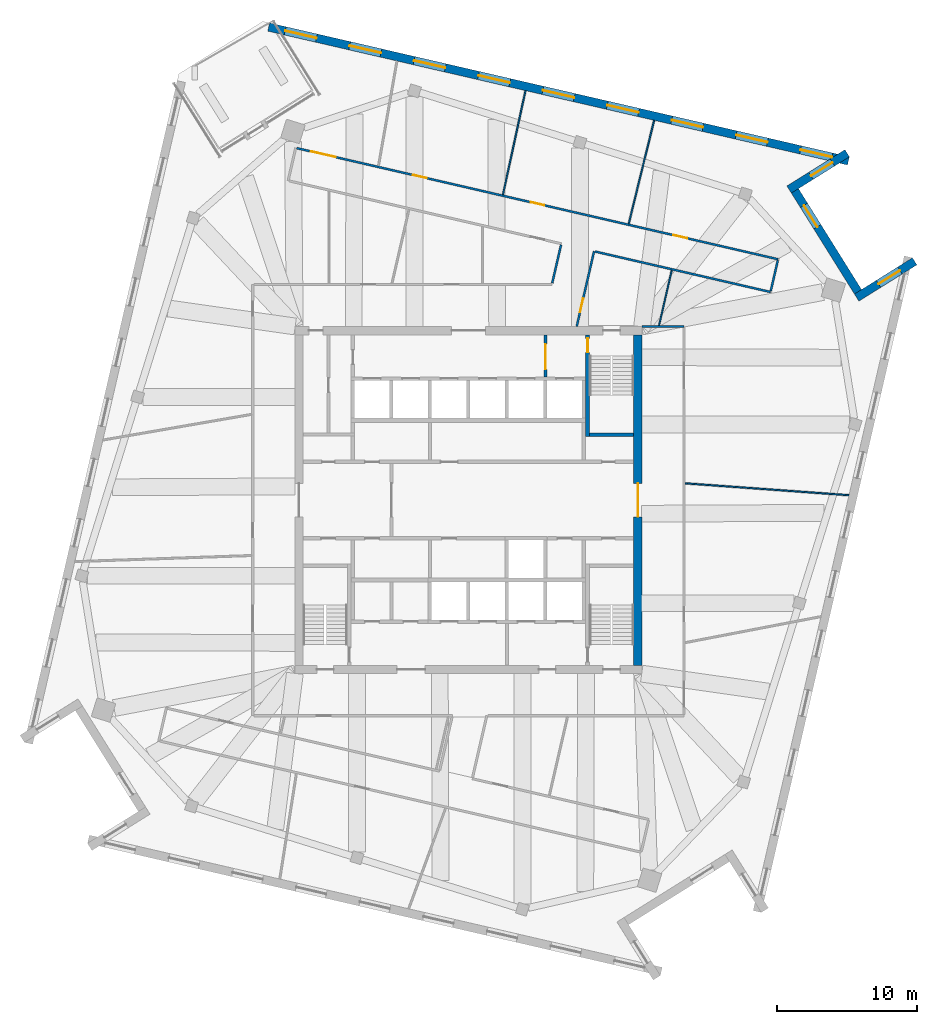
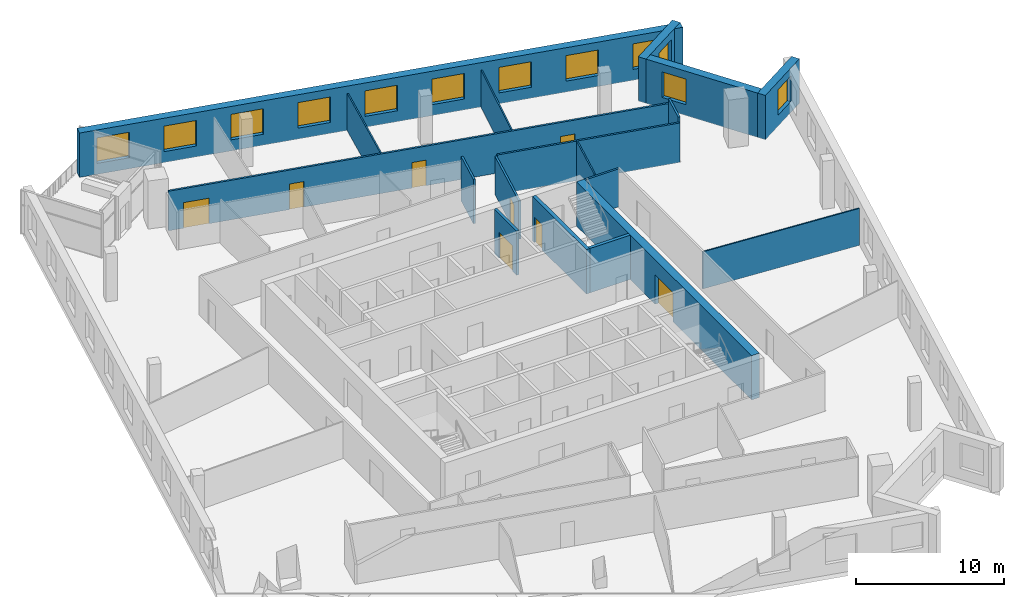
# One storey, part 10 of 14: 18 walls, 12 windows, 8 doors, 20 openings.
"""IFC4 building model written with IfcOpenShell, lengths in metres."""

from ifc_helpers import new_model, si_unit, direction, frame, frame_2d, origin, place, context, subcontext, project, spatial, rectangle, extrude, material, layer, layer_set, type_object, element, fill, save


model = new_model("IFC4")

# Units and contexts
model_context = context("Model", 3, precision=1e-05, world=origin(), true_north=direction((0.0, 1.0)))
body_context = subcontext(model_context, "Body", "Model", "MODEL_VIEW")
ifc_project = project(units=[si_unit("LENGTHUNIT", "METRE"), si_unit("AREAUNIT", "SQUARE_METRE"), si_unit("VOLUMEUNIT", "CUBIC_METRE"), si_unit("PLANEANGLEUNIT", "RADIAN"), si_unit("MASSUNIT", "GRAM", prefix="KILO")], contexts=[model_context])

# Site, building, storey
site_placement = place(None, origin())
site = spatial("IfcSite", under=ifc_project, at=site_placement, CompositionType="ELEMENT")
building_placement = place(site_placement, origin())
building = spatial("IfcBuilding", under=site, at=building_placement, Name="Dilmun Exchange Tower", CompositionType="ELEMENT")
storey_placement = place(building_placement, frame((0.0, 0.0, 340.5)))
storey = spatial("IfcBuildingStorey", under=building, at=storey_placement, Name="L81", CompositionType="ELEMENT", Elevation=340.5)

# Wall, opening, door
ifc_material_1 = material(Name="Concrete C40/50", Category="concrete")
ifc_layer_1 = layer(ifc_material_1, 0.199951171875)
ifc_layer_set_1 = layer_set([ifc_layer_1], Name="Concrete C40/50")
wall_type_1 = type_object("IfcWallType", Name="Core partition wall 200", PredefinedType="PARTITIONING", material=ifc_layer_set_1)
wall_1_placement = place(storey_placement, frame((5.5, 8.804931640625, 0.0), z_axis=(0.0, 0.0, 1.0), x_axis=(0.0, 1.0, 0.0)))
wall_1 = element("IfcWall", 1, at=wall_1_placement, inside=storey, type_object=wall_type_1, Name="L81 core partition wall 20", PredefinedType="PARTITIONING", context=body_context, shape_type="SweptSolid", body=[
    extrude(rectangle(XDim=2.989990234375, YDim=0.199951171875, at=frame_2d((1.4951171875, 0.0))), origin(), (0.0, 0.0, 1.0), 3.64990234375),
])
opening_1_placement = place(wall_1_placement, frame((0.532470703125, 0.0, 0.0)))
opening_1 = element("IfcOpeningElement", 2, at=opening_1_placement, cuts=wall_1, Name="Opening CD5", PredefinedType="OPENING", context=body_context, shape_type="SweptSolid", body=[
    extrude(rectangle(XDim=1.800048828125, YDim=2.10009765625, at=frame_2d((0.89990234375, 1.050048828125))), frame((0.0, 0.10986328125, 0.0), z_axis=(0.0, -1.0, 0.0), x_axis=(1.0, 0.0, 0.0)), (0.0, 0.0, 1.0), 0.219970703125),
])
ifc_material_2 = material(Name="Fire-rated steel door set", Category="steel")
door_type_1 = type_object("IfcDoorType", Name="Stair exit door 1800x2100", OperationType="SINGLE_SWING_LEFT", PredefinedType="DOOR", material=ifc_material_2)
door_1_placement = place(opening_1_placement, origin())
door_1 = element("IfcDoor", 3, at=door_1_placement, inside=storey, type_object=door_type_1, Name="L81 door Lift lobby east", OperationType="SINGLE_SWING_LEFT", OverallHeight=2.10009765625, OverallWidth=1.800048828125, PredefinedType="DOOR", context=body_context, shape_type="SweptSolid", body=[
    extrude(rectangle(XDim=1.800048828125, YDim=2.10009765625, at=frame_2d((0.89990234375, 1.050048828125))), frame((0.0, 0.02490234375, 0.0), z_axis=(0.0, -1.0, 0.0), x_axis=(1.0, 0.0, 0.0)), (0.0, 0.0, 1.0), 0.050048828125),
])
fill(opening_1, door_1)

ifc_material_3 = material(Name="Concrete C50/60", Category="concrete")
ifc_layer_2 = layer(ifc_material_3, 0.60009765625)
ifc_layer_set_2 = layer_set([ifc_layer_2], Name="Concrete C50/60")
wall_type_2 = type_object("IfcWallType", Name="Core shear wall 600 Concrete C50/60", PredefinedType="SHEAR", material=ifc_layer_set_2)
wall_2_placement = place(storey_placement, frame((12.10009765625, -11.800048828125, 0.0), z_axis=(0.0, 0.0, 1.0), x_axis=(0.0, 1.0, 0.0)))
wall_2 = element("IfcWall", 4, at=wall_2_placement, inside=storey, type_object=wall_type_2, Name="L81 core shear wall E", PredefinedType="SHEAR", context=body_context, shape_type="SweptSolid", body=[
    extrude(rectangle(XDim=23.60009765625, YDim=0.60009765625, at=frame_2d((11.800048828125, 0.0))), origin(), (0.0, 0.0, 1.0), 3.64990234375),
])
opening_2_placement = place(wall_2_placement, frame((10.60009765625, 0.0, 0.0)))
opening_2 = element("IfcOpeningElement", 5, at=opening_2_placement, cuts=wall_2, Name="Opening CD1", PredefinedType="OPENING", context=body_context, shape_type="SweptSolid", body=[
    extrude(rectangle(XDim=2.39990234375, YDim=2.39990234375, at=frame_2d((1.199951171875, 1.199951171875))), frame((0.0, 0.31005859375, 0.0), z_axis=(0.0, -1.0, 0.0), x_axis=(1.0, 0.0, 0.0)), (0.0, 0.0, 1.0), 0.6201171875),
])
door_type_2 = type_object("IfcDoorType", Name="Core lobby door 2400x2400", OperationType="DOUBLE_DOOR_DOUBLE_SWING", PredefinedType="DOOR", material=ifc_material_2)
door_2_placement = place(opening_2_placement, origin())
door_2 = element("IfcDoor", 6, at=door_2_placement, inside=storey, type_object=door_type_2, Name="L81 door Central lift lobby", OperationType="SINGLE_SWING_LEFT", OverallHeight=2.39990234375, OverallWidth=2.39990234375, PredefinedType="DOOR", context=body_context, shape_type="SweptSolid", body=[
    extrude(rectangle(XDim=2.39990234375, YDim=2.39990234375, at=frame_2d((1.199951171875, 1.199951171875))), frame((0.0, 0.02490234375, 0.0), z_axis=(0.0, -1.0, 0.0), x_axis=(1.0, 0.0, 0.0)), (0.0, 0.0, 1.0), 0.050048828125),
])
fill(opening_2, door_2)

# Wall, openings, doors
ifc_material_4 = material(Name="Corridor wall 150")
ifc_layer_3 = layer(ifc_material_4, 0.14990234375)
ifc_layer_set_3 = layer_set([ifc_layer_3], Name="Corridor wall 150")
wall_type_3 = type_object("IfcWallType", Name="Corridor wall 150", PredefinedType="PARTITIONING", material=ifc_layer_set_3)
wall_3_placement = place(storey_placement, frame((-12.261962890625, 25.129150390625, 0.0), z_axis=(0.0, 0.0, 1.0), x_axis=(0.974366228137, -0.224967672045, 0.0)))
wall_3 = element("IfcWall", 7, at=wall_3_placement, inside=storey, type_object=wall_type_3, Name="Corridor wall", PredefinedType="PARTITIONING", context=body_context, shape_type="SweptSolid", body=[
    extrude(rectangle(XDim=35.2763671875, YDim=0.14990234375, at=frame_2d((17.63818359375, 0.0))), origin(), (0.0, 0.0, 1.0), 3.25),
])
opening_3_placement = place(wall_3_placement, frame((1.050048828125, 0.0, 0.0)))
opening_3 = element("IfcOpeningElement", 8, at=opening_3_placement, cuts=wall_3, Name="Opening TF79-D04", PredefinedType="OPENING", context=body_context, shape_type="SweptSolid", body=[
    extrude(rectangle(XDim=1.800048828125, YDim=2.10009765625, at=frame_2d((0.89990234375, 1.050048828125))), frame((0.0, 0.0849609375, 0.0), z_axis=(0.0, -1.0, 0.0), x_axis=(1.0, 0.0, 0.0)), (0.0, 0.0, 1.0), 0.169921875),
])
opening_4_placement = place(wall_3_placement, frame((8.524169921875, 0.0, 0.0)))
opening_4 = element("IfcOpeningElement", 9, at=opening_4_placement, cuts=wall_3, Name="Opening TF79-D10", PredefinedType="OPENING", context=body_context, shape_type="SweptSolid", body=[
    extrude(rectangle(XDim=1.0, YDim=2.10009765625, at=frame_2d((0.5, 1.050048828125))), frame((0.0, 0.0849609375, 0.0), z_axis=(0.0, -1.0, 0.0), x_axis=(1.0, 0.0, 0.0)), (0.0, 0.0, 1.0), 0.169921875),
])
opening_5_placement = place(wall_3_placement, frame((17.144287109375, 0.0, 0.0)))
opening_5 = element("IfcOpeningElement", 10, at=opening_5_placement, cuts=wall_3, Name="Opening TF79-D13", PredefinedType="OPENING", context=body_context, shape_type="SweptSolid", body=[
    extrude(rectangle(XDim=1.0, YDim=2.10009765625, at=frame_2d((0.5, 1.050048828125))), frame((0.0, 0.0849609375, 0.0), z_axis=(0.0, -1.0, 0.0), x_axis=(1.0, 0.0, 0.0)), (0.0, 0.0, 1.0), 0.169921875),
])
opening_6_placement = place(wall_3_placement, frame((27.612548828125, 0.0, 0.0)))
opening_6 = element("IfcOpeningElement", 11, at=opening_6_placement, cuts=wall_3, Name="Opening TF79-D19", PredefinedType="OPENING", context=body_context, shape_type="SweptSolid", body=[
    extrude(rectangle(XDim=1.0, YDim=2.10009765625, at=frame_2d((0.5, 1.050048828125))), frame((0.0, 0.0849609375, 0.0), z_axis=(0.0, -1.0, 0.0), x_axis=(1.0, 0.0, 0.0)), (0.0, 0.0, 1.0), 0.169921875),
])
ifc_material_5 = material(Name="Fire door 1000 x 2100")
door_type_3 = type_object("IfcDoorType", Name="Fire door 1000 x 2100", OperationType="NOTDEFINED", PredefinedType="DOOR", material=ifc_material_5)
door_3_placement = place(opening_4_placement, origin())
door_3 = element("IfcDoor", 12, at=door_3_placement, inside=storey, type_object=door_type_3, Name="Door TF79-D10", OperationType="SINGLE_SWING_RIGHT", OverallHeight=2.10009765625, OverallWidth=1.0, PredefinedType="DOOR", context=body_context, shape_type="SweptSolid", body=[
    extrude(rectangle(XDim=1.0, YDim=2.10009765625, at=frame_2d((0.5, 1.050048828125))), frame((0.0, 0.02490234375, 0.0), z_axis=(0.0, -1.0, 0.0), x_axis=(1.0, 0.0, 0.0)), (0.0, 0.0, 1.0), 0.050048828125),
])
fill(opening_4, door_3)
door_4_placement = place(opening_5_placement, origin())
door_4 = element("IfcDoor", 13, at=door_4_placement, inside=storey, type_object=door_type_3, Name="Door TF79-D13", OperationType="SINGLE_SWING_LEFT", OverallHeight=2.10009765625, OverallWidth=1.0, PredefinedType="DOOR", context=body_context, shape_type="SweptSolid", body=[
    extrude(rectangle(XDim=1.0, YDim=2.10009765625, at=frame_2d((0.5, 1.050048828125))), frame((0.0, 0.02490234375, 0.0), z_axis=(0.0, -1.0, 0.0), x_axis=(1.0, 0.0, 0.0)), (0.0, 0.0, 1.0), 0.050048828125),
])
fill(opening_5, door_4)
door_5_placement = place(opening_6_placement, origin())
door_5 = element("IfcDoor", 14, at=door_5_placement, inside=storey, type_object=door_type_3, Name="Door TF79-D19", OperationType="SINGLE_SWING_LEFT", OverallHeight=2.10009765625, OverallWidth=1.0, PredefinedType="DOOR", context=body_context, shape_type="SweptSolid", body=[
    extrude(rectangle(XDim=1.0, YDim=2.10009765625, at=frame_2d((0.5, 1.050048828125))), frame((0.0, 0.02490234375, 0.0), z_axis=(0.0, -1.0, 0.0), x_axis=(1.0, 0.0, 0.0)), (0.0, 0.0, 1.0), 0.050048828125),
])
fill(opening_6, door_5)
ifc_material_6 = material(Name="Fire door pair 1800 x 2100")
door_type_4 = type_object("IfcDoorType", Name="Fire door pair 1800 x 2100", OperationType="NOTDEFINED", PredefinedType="DOOR", material=ifc_material_6)
door_6_placement = place(opening_3_placement, origin())
door_6 = element("IfcDoor", 15, at=door_6_placement, inside=storey, type_object=door_type_4, Name="Door TF79-D04", OperationType="DOUBLE_DOOR_SINGLE_SWING", OverallHeight=2.10009765625, OverallWidth=1.800048828125, PredefinedType="DOOR", context=body_context, shape_type="SweptSolid", body=[
    extrude(rectangle(XDim=1.800048828125, YDim=2.10009765625, at=frame_2d((0.89990234375, 1.050048828125))), frame((0.0, 0.02490234375, 0.0), z_axis=(0.0, -1.0, 0.0), x_axis=(1.0, 0.0, 0.0)), (0.0, 0.0, 1.0), 0.050048828125),
])
fill(opening_3, door_6)

# Wall
wall_4_placement = place(storey_placement, frame((5.981201171875, 15.491943359375, 0.0), z_axis=(0.0, 0.0, 1.0), x_axis=(0.224777043794, 0.97441022192, 0.0)))
element("IfcWall", 16, at=wall_4_placement, inside=storey, type_object=wall_type_3, Name="Corridor wall", PredefinedType="PARTITIONING", context=body_context, shape_type="SweptSolid", body=[
    extrude(rectangle(XDim=2.81103515625, YDim=0.14990234375, at=frame_2d((1.405517578125, 0.0))), origin(), (0.0, 0.0, 1.0), 3.64990234375),
])

# Wall, opening, door
wall_5_placement = place(storey_placement, frame((7.73095703125, 12.39990234375, 0.0), z_axis=(0.0, 0.0, 1.0), x_axis=(0.224891896022, 0.974383720668, 0.0)))
wall_5 = element("IfcWall", 17, at=wall_5_placement, inside=storey, type_object=wall_type_3, Name="Corridor wall", PredefinedType="PARTITIONING", context=body_context, shape_type="SweptSolid", body=[
    extrude(rectangle(XDim=5.505126953125, YDim=0.14990234375, at=frame_2d((2.75244140625, 0.0))), origin(), (0.0, 0.0, 1.0), 3.1298828125),
])
opening_7_placement = place(wall_5_placement, frame((1.050048828125, 0.0, 0.0)))
opening_7 = element("IfcOpeningElement", 18, at=opening_7_placement, cuts=wall_5, Name="Opening TF79-D14", PredefinedType="OPENING", context=body_context, shape_type="SweptSolid", body=[
    extrude(rectangle(XDim=1.0, YDim=2.10009765625, at=frame_2d((0.5, 1.050048828125))), frame((0.0, 0.0849609375, 0.0), z_axis=(0.0, -1.0, 0.0), x_axis=(1.0, 0.0, 0.0)), (0.0, 0.0, 1.0), 0.169921875),
])
door_7_placement = place(opening_7_placement, frame((1.0, 0.0, 0.0), z_axis=(0.0, 0.0, 1.0), x_axis=(-1.0, 0.0, 0.0)))
door_7 = element("IfcDoor", 19, at=door_7_placement, inside=storey, type_object=door_type_3, Name="Door TF79-D14", OperationType="SINGLE_SWING_RIGHT", OverallHeight=2.10009765625, OverallWidth=1.0, PredefinedType="DOOR", context=body_context, shape_type="SweptSolid", body=[
    extrude(rectangle(XDim=1.0, YDim=2.10009765625, at=frame_2d((0.5, 1.050048828125))), frame((0.0, 0.02490234375, 0.0), z_axis=(0.0, -1.0, 0.0), x_axis=(1.0, 0.0, 0.0)), (0.0, 0.0, 1.0), 0.050048828125),
])
fill(opening_7, door_7)

# Walls
wall_6_placement = place(storey_placement, frame((9.0419921875, 17.7470703125, 0.0), z_axis=(0.0, 0.0, 1.0), x_axis=(0.974374231644, -0.224933004931, 0.0)))
element("IfcWall", 20, at=wall_6_placement, inside=storey, type_object=wall_type_3, Name="Corridor wall", PredefinedType="PARTITIONING", context=body_context, shape_type="SweptSolid", body=[
    extrude(rectangle(XDim=12.857666015625, YDim=0.14990234375, at=frame_2d((6.4287109375, 0.0))), origin(), (0.0, 0.0, 1.0), 3.25),
])
wall_7_placement = place(storey_placement, frame((12.39990234375, 12.39990234375, 0.0), z_axis=(0.0, 0.0, 1.0), x_axis=(1.0, 0.0, 0.0)))
element("IfcWall", 21, at=wall_7_placement, inside=storey, type_object=wall_type_3, Name="Corridor wall", PredefinedType="PARTITIONING", context=body_context, shape_type="SweptSolid", body=[
    extrude(rectangle(XDim=3.0, YDim=0.14990234375, at=frame_2d((1.5, 0.0))), origin(), (0.0, 0.0, 1.0), 3.1298828125),
])
wall_8_placement = place(storey_placement, frame((21.5869140625, 14.927978515625, 0.0), z_axis=(0.0, 0.0, 1.0), x_axis=(0.224978397981, 0.974363751605, 0.0)))
element("IfcWall", 22, at=wall_8_placement, inside=storey, type_object=wall_type_3, Name="Corridor wall", PredefinedType="PARTITIONING", context=body_context, shape_type="SweptSolid", body=[
    extrude(rectangle(XDim=2.24951171875, YDim=0.14990234375, at=frame_2d((1.124755859375, 0.0))), origin(), (0.0, 0.0, 1.0), 3.64990234375),
])
ifc_material_7 = material(Name="Partition 100")
ifc_layer_4 = layer(ifc_material_7, 0.10009765625)
ifc_layer_set_4 = layer_set([ifc_layer_4], Name="Partition 100")
wall_type_4 = type_object("IfcWallType", Name="Partition 100", PredefinedType="PARTITIONING", material=ifc_layer_set_4)
wall_9_placement = place(storey_placement, frame((2.4619140625, 21.806884765625, 0.0), z_axis=(0.0, 0.0, 1.0), x_axis=(0.211973327183, 0.977275451735, 0.0)))
element("IfcWall", 23, at=wall_9_placement, inside=storey, type_object=wall_type_4, Name="Partition", PredefinedType="PARTITIONING", context=body_context, shape_type="SweptSolid", body=[
    extrude(rectangle(XDim=7.596923828125, YDim=0.10009765625, at=frame_2d((3.79833984375, 0.0))), origin(), (0.0, 0.0, 1.0), 3.050048828125),
])
wall_10_placement = place(storey_placement, frame((11.445068359375, 19.7333984375, 0.0), z_axis=(0.0, 0.0, 1.0), x_axis=(0.238465178955, 0.971151048203, 0.0)))
element("IfcWall", 24, at=wall_10_placement, inside=storey, type_object=wall_type_4, Name="Partition", PredefinedType="PARTITIONING", context=body_context, shape_type="SweptSolid", body=[
    extrude(rectangle(XDim=7.5966796875, YDim=0.10009765625, at=frame_2d((3.79833984375, 0.0))), origin(), (0.0, 0.0, 1.0), 3.050048828125),
])
wall_11_placement = place(storey_placement, frame((13.61181640625, 12.486083984375, 0.0), z_axis=(0.0, 0.0, 1.0), x_axis=(0.224788589714, 0.974407558435, 0.0)))
element("IfcWall", 25, at=wall_11_placement, inside=storey, type_object=wall_type_4, Name="Partition", PredefinedType="PARTITIONING", context=body_context, shape_type="SweptSolid", body=[
    extrude(rectangle(XDim=4.02294921875, YDim=0.10009765625, at=frame_2d((2.011474609375, 0.0))), origin(), (0.0, 0.0, 1.0), 3.25),
])
wall_12_placement = place(storey_placement, frame((15.478515625, 1.1943359375, 0.0), z_axis=(0.0, 0.0, 1.0), x_axis=(0.997373972888, -0.07242346447, 0.0)))
element("IfcWall", 26, at=wall_12_placement, inside=storey, type_object=wall_type_4, Name="Partition", PredefinedType="PARTITIONING", context=body_context, shape_type="SweptSolid", body=[
    extrude(rectangle(XDim=11.724365234375, YDim=0.10009765625, at=frame_2d((5.8623046875, 0.0))), origin(), (0.0, 0.0, 1.0), 3.050048828125),
])

# Wall, opening, window
ifc_material_8 = material(Name="Precast concrete C50/60", Category="concrete")
ifc_layer_5 = layer(ifc_material_8, 0.60009765625)
ifc_layer_set_5 = layer_set([ifc_layer_5], Name="Precast concrete C50/60")
wall_type_5 = type_object("IfcWallType", Name="Precast stone-clad wall 600", PredefinedType="STANDARD", material=ifc_layer_set_5)
wall_13_placement = place(storey_placement, frame((31.863525390625, 17.046630859375, 0.0), z_axis=(0.0, 0.0, 1.0), x_axis=(-0.848062867364, -0.529895624626, 0.0)))
wall_13 = element("IfcWall", 27, at=wall_13_placement, inside=storey, type_object=wall_type_5, Name="Facade wall L81-12", PredefinedType="STANDARD", context=body_context, shape_type="SweptSolid", body=[
    extrude(rectangle(XDim=4.885498046875, YDim=0.60009765625, at=frame_2d((2.44287109375, 0.0))), origin(), (0.0, 0.0, 1.0), 3.64990234375),
])
opening_8_placement = place(wall_13_placement, frame((1.242919921875, 0.0, 0.89990234375)))
opening_8 = element("IfcOpeningElement", 28, at=opening_8_placement, cuts=wall_13, Name="Opening W180-210", PredefinedType="OPENING", context=body_context, shape_type="SweptSolid", body=[
    extrude(rectangle(XDim=1.800048828125, YDim=2.10009765625, at=frame_2d((0.89990234375, 1.050048828125))), frame((0.0, 0.31005859375, 0.0), z_axis=(0.0, -1.0, 0.0), x_axis=(1.0, 0.0, 0.0)), (0.0, 0.0, 1.0), 0.6201171875),
])
ifc_material_9 = material(Name="Clear low-emissivity glass in aluminium frame", Category="aluminium")
window_type_1 = type_object("IfcWindowType", Name="Punched window 1800 x 2100", PartitioningType="DOUBLE_PANEL_VERTICAL", PredefinedType="WINDOW", material=ifc_material_9)
window_1_placement = place(opening_8_placement, origin())
window_1 = element("IfcWindow", 29, at=window_1_placement, inside=storey, type_object=window_type_1, Name="Window 13.1", OverallHeight=2.10009765625, OverallWidth=1.800048828125, PartitioningType="SINGLE_PANEL", PredefinedType="WINDOW", context=body_context, shape_type="SweptSolid", body=[
    extrude(rectangle(XDim=1.800048828125, YDim=2.10009765625, at=frame_2d((0.89990234375, 1.050048828125))), frame((0.0, 0.030029296875, 0.0), z_axis=(0.0, -1.0, 0.0), x_axis=(1.0, 0.0, 0.0)), (0.0, 0.0, 1.0), 0.06005859375),
])
fill(opening_8, window_1)

wall_14_placement = place(storey_placement, frame((27.815673828125, 14.87109375, 0.0), z_axis=(0.0, 0.0, 1.0), x_axis=(-0.529921485123, 0.848046708387, 0.0)))
wall_14 = element("IfcWall", 30, at=wall_14_placement, inside=storey, type_object=wall_type_5, Name="Facade wall L81-13", PredefinedType="STANDARD", context=body_context, shape_type="SweptSolid", body=[
    extrude(rectangle(XDim=8.5, YDim=0.60009765625, at=frame_2d((4.25, 0.0))), origin(), (0.0, 0.0, 1.0), 3.64990234375),
])
opening_9_placement = place(wall_14_placement, frame((5.47509765625, 0.0, 0.89990234375)))
opening_9 = element("IfcOpeningElement", 31, at=opening_9_placement, cuts=wall_14, Name="Opening W180-210", PredefinedType="OPENING", context=body_context, shape_type="SweptSolid", body=[
    extrude(rectangle(XDim=1.800048828125, YDim=2.10009765625, at=frame_2d((0.89990234375, 1.050048828125))), frame((0.0, 0.31005859375, 0.0), z_axis=(0.0, -1.0, 0.0), x_axis=(1.0, 0.0, 0.0)), (0.0, 0.0, 1.0), 0.6201171875),
])
window_2_placement = place(opening_9_placement, origin())
window_2 = element("IfcWindow", 32, at=window_2_placement, inside=storey, type_object=window_type_1, Name="Window 14.2", OverallHeight=2.10009765625, OverallWidth=1.800048828125, PartitioningType="SINGLE_PANEL", PredefinedType="WINDOW", context=body_context, shape_type="SweptSolid", body=[
    extrude(rectangle(XDim=1.800048828125, YDim=2.10009765625, at=frame_2d((0.89990234375, 1.050048828125))), frame((0.0, 0.030029296875, 0.0), z_axis=(0.0, -1.0, 0.0), x_axis=(1.0, 0.0, 0.0)), (0.0, 0.0, 1.0), 0.06005859375),
])
fill(opening_9, window_2)

wall_15_placement = place(storey_placement, frame((22.89794921875, 22.1748046875, 0.0), z_axis=(0.0, 0.0, 1.0), x_axis=(0.848040410856, 0.529931563086, 0.0)))
wall_15 = element("IfcWall", 33, at=wall_15_placement, inside=storey, type_object=wall_type_5, Name="Facade wall L81-14", PredefinedType="STANDARD", context=body_context, shape_type="SweptSolid", body=[
    extrude(rectangle(XDim=4.8857421875, YDim=0.60009765625, at=frame_2d((2.44287109375, 0.0))), origin(), (0.0, 0.0, 1.0), 3.64990234375),
])
opening_10_placement = place(wall_15_placement, frame((1.8427734375, 0.0, 0.89990234375)))
opening_10 = element("IfcOpeningElement", 34, at=opening_10_placement, cuts=wall_15, Name="Opening W180-210", PredefinedType="OPENING", context=body_context, shape_type="SweptSolid", body=[
    extrude(rectangle(XDim=1.800048828125, YDim=2.10009765625, at=frame_2d((0.89990234375, 1.050048828125))), frame((0.0, 0.31005859375, 0.0), z_axis=(0.0, -1.0, 0.0), x_axis=(1.0, 0.0, 0.0)), (0.0, 0.0, 1.0), 0.6201171875),
])
window_3_placement = place(opening_10_placement, origin())
window_3 = element("IfcWindow", 35, at=window_3_placement, inside=storey, type_object=window_type_1, Name="Window 15.1", OverallHeight=2.10009765625, OverallWidth=1.800048828125, PartitioningType="SINGLE_PANEL", PredefinedType="WINDOW", context=body_context, shape_type="SweptSolid", body=[
    extrude(rectangle(XDim=1.800048828125, YDim=2.10009765625, at=frame_2d((0.89990234375, 1.050048828125))), frame((0.0, 0.030029296875, 0.0), z_axis=(0.0, -1.0, 0.0), x_axis=(1.0, 0.0, 0.0)), (0.0, 0.0, 1.0), 0.06005859375),
])
fill(opening_10, window_3)

# Wall, openings, windows
wall_16_placement = place(storey_placement, frame((27.1328125, 24.21728515625, 0.0), z_axis=(0.0, 0.0, 1.0), x_axis=(-0.974371242637, 0.224945952446, 0.0)))
wall_16 = element("IfcWall", 36, at=wall_16_placement, inside=storey, type_object=wall_type_5, Name="Facade wall L81-15", PredefinedType="STANDARD", context=body_context, shape_type="SweptSolid", body=[
    extrude(rectangle(XDim=42.489501953125, YDim=0.60009765625, at=frame_2d((21.24462890625, 0.0))), origin(), (0.0, 0.0, 1.0), 3.64990234375),
])
opening_11_placement = place(wall_16_placement, frame((1.21044921875, 0.0, 0.89990234375)))
opening_11 = element("IfcOpeningElement", 37, at=opening_11_placement, cuts=wall_16, Name="Opening W230-210", PredefinedType="OPENING", context=body_context, shape_type="SweptSolid", body=[
    extrude(rectangle(XDim=2.300048828125, YDim=2.10009765625, at=frame_2d((1.14990234375, 1.050048828125))), frame((0.0, 0.31005859375, 0.0), z_axis=(0.0, -1.0, 0.0), x_axis=(1.0, 0.0, 0.0)), (0.0, 0.0, 1.0), 0.6201171875),
])
opening_12_placement = place(wall_16_placement, frame((5.931640625, 0.0, 0.89990234375)))
opening_12 = element("IfcOpeningElement", 38, at=opening_12_placement, cuts=wall_16, Name="Opening W230-210", PredefinedType="OPENING", context=body_context, shape_type="SweptSolid", body=[
    extrude(rectangle(XDim=2.300048828125, YDim=2.10009765625, at=frame_2d((1.14990234375, 1.050048828125))), frame((0.0, 0.31005859375, 0.0), z_axis=(0.0, -1.0, 0.0), x_axis=(1.0, 0.0, 0.0)), (0.0, 0.0, 1.0), 0.6201171875),
])
opening_13_placement = place(wall_16_placement, frame((10.652587890625, 0.0, 0.89990234375)))
opening_13 = element("IfcOpeningElement", 39, at=opening_13_placement, cuts=wall_16, Name="Opening W230-210", PredefinedType="OPENING", context=body_context, shape_type="SweptSolid", body=[
    extrude(rectangle(XDim=2.300048828125, YDim=2.10009765625, at=frame_2d((1.14990234375, 1.050048828125))), frame((0.0, 0.31005859375, 0.0), z_axis=(0.0, -1.0, 0.0), x_axis=(1.0, 0.0, 0.0)), (0.0, 0.0, 1.0), 0.6201171875),
])
opening_14_placement = place(wall_16_placement, frame((15.373779296875, 0.0, 0.89990234375)))
opening_14 = element("IfcOpeningElement", 40, at=opening_14_placement, cuts=wall_16, Name="Opening W230-210", PredefinedType="OPENING", context=body_context, shape_type="SweptSolid", body=[
    extrude(rectangle(XDim=2.300048828125, YDim=2.10009765625, at=frame_2d((1.14990234375, 1.050048828125))), frame((0.0, 0.31005859375, 0.0), z_axis=(0.0, -1.0, 0.0), x_axis=(1.0, 0.0, 0.0)), (0.0, 0.0, 1.0), 0.6201171875),
])
opening_15_placement = place(wall_16_placement, frame((20.0947265625, 0.0, 0.89990234375)))
opening_15 = element("IfcOpeningElement", 41, at=opening_15_placement, cuts=wall_16, Name="Opening W230-210", PredefinedType="OPENING", context=body_context, shape_type="SweptSolid", body=[
    extrude(rectangle(XDim=2.300048828125, YDim=2.10009765625, at=frame_2d((1.14990234375, 1.050048828125))), frame((0.0, 0.31005859375, 0.0), z_axis=(0.0, -1.0, 0.0), x_axis=(1.0, 0.0, 0.0)), (0.0, 0.0, 1.0), 0.6201171875),
])
opening_16_placement = place(wall_16_placement, frame((24.81591796875, 0.0, 0.89990234375)))
opening_16 = element("IfcOpeningElement", 42, at=opening_16_placement, cuts=wall_16, Name="Opening W230-210", PredefinedType="OPENING", context=body_context, shape_type="SweptSolid", body=[
    extrude(rectangle(XDim=2.300048828125, YDim=2.10009765625, at=frame_2d((1.14990234375, 1.050048828125))), frame((0.0, 0.31005859375, 0.0), z_axis=(0.0, -1.0, 0.0), x_axis=(1.0, 0.0, 0.0)), (0.0, 0.0, 1.0), 0.6201171875),
])
opening_17_placement = place(wall_16_placement, frame((29.536865234375, 0.0, 0.89990234375)))
opening_17 = element("IfcOpeningElement", 43, at=opening_17_placement, cuts=wall_16, Name="Opening W230-210", PredefinedType="OPENING", context=body_context, shape_type="SweptSolid", body=[
    extrude(rectangle(XDim=2.300048828125, YDim=2.10009765625, at=frame_2d((1.14990234375, 1.050048828125))), frame((0.0, 0.31005859375, 0.0), z_axis=(0.0, -1.0, 0.0), x_axis=(1.0, 0.0, 0.0)), (0.0, 0.0, 1.0), 0.6201171875),
])
opening_18_placement = place(wall_16_placement, frame((34.258056640625, 0.0, 0.89990234375)))
opening_18 = element("IfcOpeningElement", 44, at=opening_18_placement, cuts=wall_16, Name="Opening W230-210", PredefinedType="OPENING", context=body_context, shape_type="SweptSolid", body=[
    extrude(rectangle(XDim=2.300048828125, YDim=2.10009765625, at=frame_2d((1.14990234375, 1.050048828125))), frame((0.0, 0.31005859375, 0.0), z_axis=(0.0, -1.0, 0.0), x_axis=(1.0, 0.0, 0.0)), (0.0, 0.0, 1.0), 0.6201171875),
])
opening_19_placement = place(wall_16_placement, frame((38.97900390625, 0.0, 0.89990234375)))
opening_19 = element("IfcOpeningElement", 45, at=opening_19_placement, cuts=wall_16, Name="Opening W230-210", PredefinedType="OPENING", context=body_context, shape_type="SweptSolid", body=[
    extrude(rectangle(XDim=2.300048828125, YDim=2.10009765625, at=frame_2d((1.14990234375, 1.050048828125))), frame((0.0, 0.31005859375, 0.0), z_axis=(0.0, -1.0, 0.0), x_axis=(1.0, 0.0, 0.0)), (0.0, 0.0, 1.0), 0.6201171875),
])
window_type_2 = type_object("IfcWindowType", Name="Punched window 2300 x 2100", PartitioningType="DOUBLE_PANEL_VERTICAL", PredefinedType="WINDOW", material=ifc_material_9)
window_4_placement = place(opening_11_placement, origin())
window_4 = element("IfcWindow", 46, at=window_4_placement, inside=storey, type_object=window_type_2, Name="Window 16.1", OverallHeight=2.10009765625, OverallWidth=2.300048828125, PartitioningType="SINGLE_PANEL", PredefinedType="WINDOW", context=body_context, shape_type="SweptSolid", body=[
    extrude(rectangle(XDim=2.300048828125, YDim=2.10009765625, at=frame_2d((1.14990234375, 1.050048828125))), frame((0.0, 0.030029296875, 0.0), z_axis=(0.0, -1.0, 0.0), x_axis=(1.0, 0.0, 0.0)), (0.0, 0.0, 1.0), 0.06005859375),
])
fill(opening_11, window_4)
window_5_placement = place(opening_12_placement, origin())
window_5 = element("IfcWindow", 47, at=window_5_placement, inside=storey, type_object=window_type_2, Name="Window 16.2", OverallHeight=2.10009765625, OverallWidth=2.300048828125, PartitioningType="SINGLE_PANEL", PredefinedType="WINDOW", context=body_context, shape_type="SweptSolid", body=[
    extrude(rectangle(XDim=2.300048828125, YDim=2.10009765625, at=frame_2d((1.14990234375, 1.050048828125))), frame((0.0, 0.030029296875, 0.0), z_axis=(0.0, -1.0, 0.0), x_axis=(1.0, 0.0, 0.0)), (0.0, 0.0, 1.0), 0.06005859375),
])
fill(opening_12, window_5)
window_6_placement = place(opening_13_placement, origin())
window_6 = element("IfcWindow", 48, at=window_6_placement, inside=storey, type_object=window_type_2, Name="Window 16.3", OverallHeight=2.10009765625, OverallWidth=2.300048828125, PartitioningType="SINGLE_PANEL", PredefinedType="WINDOW", context=body_context, shape_type="SweptSolid", body=[
    extrude(rectangle(XDim=2.300048828125, YDim=2.10009765625, at=frame_2d((1.14990234375, 1.050048828125))), frame((0.0, 0.030029296875, 0.0), z_axis=(0.0, -1.0, 0.0), x_axis=(1.0, 0.0, 0.0)), (0.0, 0.0, 1.0), 0.06005859375),
])
fill(opening_13, window_6)
window_7_placement = place(opening_14_placement, origin())
window_7 = element("IfcWindow", 49, at=window_7_placement, inside=storey, type_object=window_type_2, Name="Window 16.4", OverallHeight=2.10009765625, OverallWidth=2.300048828125, PartitioningType="SINGLE_PANEL", PredefinedType="WINDOW", context=body_context, shape_type="SweptSolid", body=[
    extrude(rectangle(XDim=2.300048828125, YDim=2.10009765625, at=frame_2d((1.14990234375, 1.050048828125))), frame((0.0, 0.030029296875, 0.0), z_axis=(0.0, -1.0, 0.0), x_axis=(1.0, 0.0, 0.0)), (0.0, 0.0, 1.0), 0.06005859375),
])
fill(opening_14, window_7)
window_8_placement = place(opening_15_placement, origin())
window_8 = element("IfcWindow", 50, at=window_8_placement, inside=storey, type_object=window_type_2, Name="Window 16.5", OverallHeight=2.10009765625, OverallWidth=2.300048828125, PartitioningType="SINGLE_PANEL", PredefinedType="WINDOW", context=body_context, shape_type="SweptSolid", body=[
    extrude(rectangle(XDim=2.300048828125, YDim=2.10009765625, at=frame_2d((1.14990234375, 1.050048828125))), frame((0.0, 0.030029296875, 0.0), z_axis=(0.0, -1.0, 0.0), x_axis=(1.0, 0.0, 0.0)), (0.0, 0.0, 1.0), 0.06005859375),
])
fill(opening_15, window_8)
window_9_placement = place(opening_16_placement, origin())
window_9 = element("IfcWindow", 51, at=window_9_placement, inside=storey, type_object=window_type_2, Name="Window 16.6", OverallHeight=2.10009765625, OverallWidth=2.300048828125, PartitioningType="SINGLE_PANEL", PredefinedType="WINDOW", context=body_context, shape_type="SweptSolid", body=[
    extrude(rectangle(XDim=2.300048828125, YDim=2.10009765625, at=frame_2d((1.14990234375, 1.050048828125))), frame((0.0, 0.030029296875, 0.0), z_axis=(0.0, -1.0, 0.0), x_axis=(1.0, 0.0, 0.0)), (0.0, 0.0, 1.0), 0.06005859375),
])
fill(opening_16, window_9)
window_10_placement = place(opening_17_placement, origin())
window_10 = element("IfcWindow", 52, at=window_10_placement, inside=storey, type_object=window_type_2, Name="Window 16.7", OverallHeight=2.10009765625, OverallWidth=2.300048828125, PartitioningType="SINGLE_PANEL", PredefinedType="WINDOW", context=body_context, shape_type="SweptSolid", body=[
    extrude(rectangle(XDim=2.300048828125, YDim=2.10009765625, at=frame_2d((1.14990234375, 1.050048828125))), frame((0.0, 0.030029296875, 0.0), z_axis=(0.0, -1.0, 0.0), x_axis=(1.0, 0.0, 0.0)), (0.0, 0.0, 1.0), 0.06005859375),
])
fill(opening_17, window_10)
window_11_placement = place(opening_18_placement, origin())
window_11 = element("IfcWindow", 53, at=window_11_placement, inside=storey, type_object=window_type_2, Name="Window 16.8", OverallHeight=2.10009765625, OverallWidth=2.300048828125, PartitioningType="SINGLE_PANEL", PredefinedType="WINDOW", context=body_context, shape_type="SweptSolid", body=[
    extrude(rectangle(XDim=2.300048828125, YDim=2.10009765625, at=frame_2d((1.14990234375, 1.050048828125))), frame((0.0, 0.030029296875, 0.0), z_axis=(0.0, -1.0, 0.0), x_axis=(1.0, 0.0, 0.0)), (0.0, 0.0, 1.0), 0.06005859375),
])
fill(opening_18, window_11)
window_12_placement = place(opening_19_placement, origin())
window_12 = element("IfcWindow", 54, at=window_12_placement, inside=storey, type_object=window_type_2, Name="Window 16.9", OverallHeight=2.10009765625, OverallWidth=2.300048828125, PartitioningType="SINGLE_PANEL", PredefinedType="WINDOW", context=body_context, shape_type="SweptSolid", body=[
    extrude(rectangle(XDim=2.300048828125, YDim=2.10009765625, at=frame_2d((1.14990234375, 1.050048828125))), frame((0.0, 0.030029296875, 0.0), z_axis=(0.0, -1.0, 0.0), x_axis=(1.0, 0.0, 0.0)), (0.0, 0.0, 1.0), 0.06005859375),
])
fill(opening_19, window_12)

# Wall
ifc_layer_6 = layer(ifc_material_1, 0.25)
ifc_layer_set_6 = layer_set([ifc_layer_6], Name="Concrete C40/50")
wall_type_6 = type_object("IfcWallType", Name="Stair end wall 250", PredefinedType="SOLIDWALL", material=ifc_layer_set_6)
wall_17_placement = place(storey_placement, frame((8.64990234375, 4.675048828125, 0.0), z_axis=(0.0, 0.0, 1.0), x_axis=(1.0, 0.0, 0.0)))
element("IfcWall", 55, at=wall_17_placement, inside=storey, type_object=wall_type_6, Name="L81 ST1 far wall", PredefinedType="SOLIDWALL", context=body_context, shape_type="SweptSolid", body=[
    extrude(rectangle(XDim=3.150146484375, YDim=0.25, at=frame_2d((1.5751953125, 0.0))), origin(), (0.0, 0.0, 1.0), 3.64990234375),
])

# Wall, opening, door
ifc_layer_7 = layer(ifc_material_1, 0.27490234375)
ifc_layer_set_7 = layer_set([ifc_layer_7], Name="Concrete C40/50")
wall_type_7 = type_object("IfcWallType", Name="Stair wall 275", PredefinedType="SOLIDWALL", material=ifc_layer_set_7)
wall_18_placement = place(storey_placement, frame((8.512451171875, 4.550048828125, 0.0), z_axis=(0.0, 0.0, 1.0), x_axis=(0.0, 1.0, 0.0)))
wall_18 = element("IfcWall", 56, at=wall_18_placement, inside=storey, type_object=wall_type_7, Name="L81 ST1 wall to lift block", PredefinedType="SOLIDWALL", context=body_context, shape_type="SweptSolid", body=[
    extrude(rectangle(XDim=7.25, YDim=0.27490234375, at=frame_2d((3.625, 0.0))), origin(), (0.0, 0.0, 1.0), 3.64990234375),
])
opening_20_placement = place(wall_18_placement, frame((6.0, 0.0, 0.0)))
opening_20 = element("IfcOpeningElement", 57, at=opening_20_placement, cuts=wall_18, Name="Opening CD4", PredefinedType="OPENING", context=body_context, shape_type="SweptSolid", body=[
    extrude(rectangle(XDim=1.0, YDim=2.10009765625, at=frame_2d((0.5, 1.050048828125))), frame((0.0, 0.1474609375, 0.0), z_axis=(0.0, -1.0, 0.0), x_axis=(1.0, 0.0, 0.0)), (0.0, 0.0, 1.0), 0.294921875),
])
door_type_5 = type_object("IfcDoorType", Name="Core room door 1000x2100", OperationType="SINGLE_SWING_LEFT", PredefinedType="DOOR", material=ifc_material_2)
door_8_placement = place(opening_20_placement, origin())
door_8 = element("IfcDoor", 58, at=door_8_placement, inside=storey, type_object=door_type_5, Name="L81 door ST1 from lobby", OperationType="SINGLE_SWING_LEFT", OverallHeight=2.10009765625, OverallWidth=1.0, PredefinedType="DOOR", context=body_context, shape_type="SweptSolid", body=[
    extrude(rectangle(XDim=1.0, YDim=2.10009765625, at=frame_2d((0.5, 1.050048828125))), frame((0.0, 0.02490234375, 0.0), z_axis=(0.0, -1.0, 0.0), x_axis=(1.0, 0.0, 0.0)), (0.0, 0.0, 1.0), 0.050048828125),
])
fill(opening_20, door_8)

save(model, "model.ifc")
